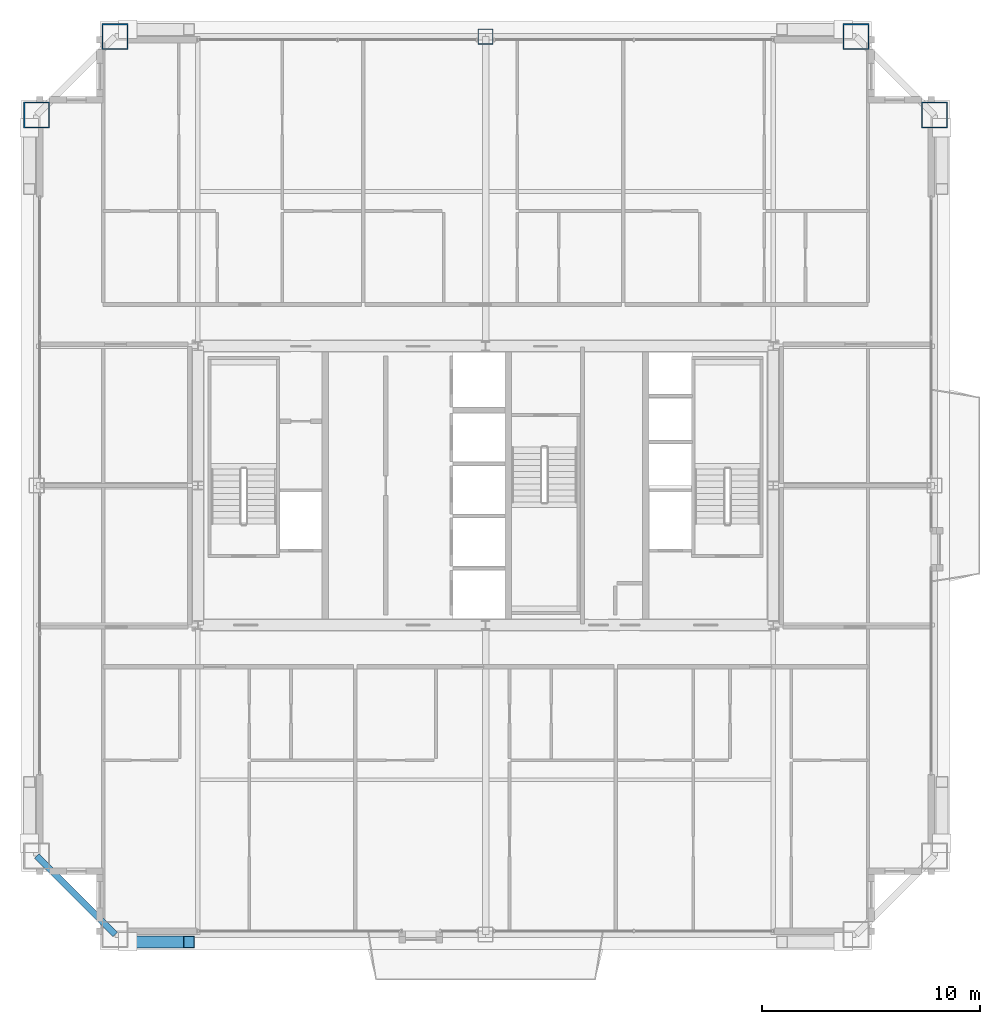
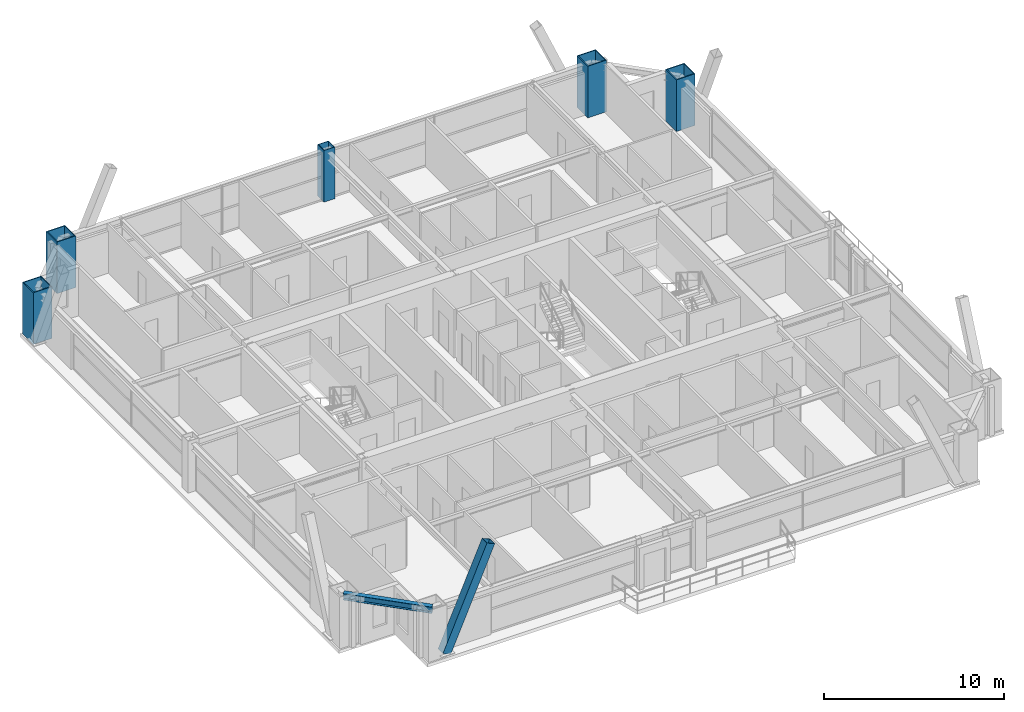
# One storey, part 2 of 35: 5 columns, 1 beam, 1 member.
"""IFC4 building model written with IfcOpenShell, lengths in metres."""

from ifc_helpers import new_model, si_unit, direction, frame, origin, origin_2d, place, context, subcontext, project, spatial, hollow_rectangle, i_section, extrude, source, transform, mapped, material, material_profile, profile_set, type_object, element, save


model = new_model("IFC4")

# Units and contexts
model_context = context("Model", 3, precision=1e-05, world=origin(), true_north=direction((0.0, 1.0)))
body_context = subcontext(model_context, "Body", "Model", "MODEL_VIEW")
ifc_project = project(units=[si_unit("LENGTHUNIT", "METRE"), si_unit("AREAUNIT", "SQUARE_METRE"), si_unit("VOLUMEUNIT", "CUBIC_METRE"), si_unit("PLANEANGLEUNIT", "RADIAN"), si_unit("MASSUNIT", "GRAM", prefix="KILO"), si_unit("THERMODYNAMICTEMPERATUREUNIT", "KELVIN"), si_unit("POWERUNIT", "WATT")], contexts=[model_context])

# Site, building, storey
site_placement = place(None, origin())
site = spatial("IfcSite", under=ifc_project, at=site_placement, CompositionType="ELEMENT")
building_placement = place(site_placement, origin())
building = spatial("IfcBuilding", under=site, at=building_placement, Name="Yuzanri Waterfront Tower", CompositionType="ELEMENT")
storey_placement = place(building_placement, frame((0.0, 0.0, 248.60009765625)))
storey = spatial("IfcBuildingStorey", under=building, at=storey_placement, Name="L66", CompositionType="ELEMENT", Elevation=248.60009765625)

# Columns
ifc_material_1 = material(Name="Steel Q390GJC", Category="steel")
ifc_material_profile_1 = material_profile(ifc_material_1, hollow_rectangle(XDim=1.199951171875, YDim=1.199951171875, WallThickness=0.054931640625, at=origin_2d()), Name="RHS 1200x1200x55")
ifc_profile_set_1 = profile_set([ifc_material_profile_1], Name="Steel Q390GJC")
column_type_1 = type_object("IfcColumnType", Name="Mega Column Q390GJC RHS 1200x1200x55", PredefinedType="COLUMN", material=ifc_profile_set_1)
shared_shape_1 = source(origin(), body_context, "Body", "SweptSolid", [
    extrude(hollow_rectangle(XDim=1.199951171875, YDim=1.199951171875, WallThickness=0.054931640625, at=origin_2d()), origin(), (0.0, 0.0, 1.0), 3.5),
])
for number, where, z_axis, x_axis, name in (
    (1, (20.0, 46.39990234375, 0.0), (0.0, 0.0, 1.0), (1.0, 0.0, 0.0), "L66 Perimeter Mega Column N1"),
    (2, (54.0, 46.39990234375, 0.0), (0.0, 0.0, 1.0), (1.0, 0.0, 0.0), "L66 Perimeter Mega Column N3"),
    (3, (16.39990234375, 42.800048828125, 0.0), (0.0, 0.0, 1.0), (1.0, 0.0, 0.0), "L66 Perimeter Mega Column W3"),
    (4, (57.60009765625, 42.800048828125, 0.0), (0.0, 0.0, 1.0), (1.0, 0.0, 0.0), "L66 Perimeter Mega Column E3"),
):
    element("IfcColumn", number, at=place(storey_placement, frame(where, z_axis=z_axis, x_axis=x_axis)), inside=storey, type_object=column_type_1, Name=name, PredefinedType="COLUMN", context=body_context, shape_type="MappedRepresentation", body=[
        mapped(shared_shape_1, transform((0.0, 0.0, 0.0), scale=1.0)),
    ])
ifc_material_2 = material(Name="Steel Q355B", Category="steel")
ifc_material_profile_2 = material_profile(ifc_material_2, hollow_rectangle(XDim=0.699951171875, YDim=0.699951171875, WallThickness=0.031982421875, at=origin_2d()), Name="RHS 700x700x32")
ifc_profile_set_2 = profile_set([ifc_material_profile_2], Name="Steel Q355B")
column_type_2 = type_object("IfcColumnType", Name="Frame Column Q355B RHS 700x700x32", PredefinedType="COLUMN", material=ifc_profile_set_2)
shared_shape_2 = source(origin(), body_context, "Body", "SweptSolid", [
    extrude(hollow_rectangle(XDim=0.699951171875, YDim=0.699951171875, WallThickness=0.031982421875, at=origin_2d()), origin(), (0.0, 0.0, 1.0), 3.5),
])
column_placement = place(storey_placement, frame((37.0, 46.39990234375, 0.0), z_axis=(0.0, 0.0, 1.0), x_axis=(1.0, 0.0, 0.0)))
element("IfcColumn", 5, at=column_placement, inside=storey, type_object=column_type_2, Name="L66 Perimeter Frame Column N2", PredefinedType="COLUMN", context=body_context, shape_type="MappedRepresentation", body=[
    mapped(shared_shape_2, transform((0.0, 0.0, 0.0), scale=1.0)),
])

# Beam
ifc_material_3 = material(Name="Steel Q355B", Category="steel")
ifc_material_profile_3 = material_profile(ifc_material_3, i_section(OverallWidth=0.300048828125, OverallDepth=0.43994140625, WebThickness=0.010986328125, FlangeThickness=0.01806640625, at=origin_2d()), Name="HM 440x300x11x18")
ifc_profile_set_3 = profile_set([ifc_material_profile_3], Name="Steel Q355B")
beam_type = type_object("IfcBeamType", Name="Perimeter Spandrel Q355B HM 440x300", PredefinedType="SPANDREL", material=ifc_profile_set_3)
shared_shape_3 = source(origin(), body_context, "Body", "SweptSolid", [
    extrude(i_section(OverallWidth=0.300048828125, OverallDepth=0.43994140625, WebThickness=0.010986328125, FlangeThickness=0.01806640625, at=origin_2d()), origin(), (0.0, 0.0, 1.0), 5.09130859375),
])
beam_placement = place(storey_placement, frame((16.39990234375, 8.800048828125, 3.059814453125), z_axis=(0.707106781187, -0.707106781187, 0.0), x_axis=(0.707106781187, 0.707106781187, 0.0)))
element("IfcBeam", 6, at=beam_placement, inside=storey, type_object=beam_type, Name="L66 Perimeter Spandrel W1-S1", PredefinedType="SPANDREL", context=body_context, shape_type="MappedRepresentation", body=[
    mapped(shared_shape_3, transform((0.0, 0.0, 0.0), scale=1.0)),
])

# Member
ifc_material_4 = material(Name="Steel Q390GJC", Category="steel")
ifc_material_profile_4 = material_profile(ifc_material_4, hollow_rectangle(XDim=0.550048828125, YDim=0.550048828125, WallThickness=0.02490234375, at=origin_2d()), Name="RHS 550x550x25")
ifc_profile_set_4 = profile_set([ifc_material_profile_4], Name="Steel Q390GJC")
member_type = type_object("IfcMemberType", Name="Mega Brace Mid Q390GJC RHS 550x550x25", PredefinedType="BRACE", material=ifc_profile_set_4)
shared_shape_4 = source(origin(), body_context, "Body", "SweptSolid", [
    extrude(hollow_rectangle(XDim=0.550048828125, YDim=0.550048828125, WallThickness=0.02490234375, at=origin_2d()), origin(), (0.0, 0.0, 1.0), 7.085205078125),
])
member_placement = place(storey_placement, frame((20.580078125, 4.860107421875, 0.179931640625), z_axis=(0.397982599681, 0.0, 0.917392963975), x_axis=(0.0, 1.0, 0.0)))
element("IfcMember", 7, at=member_placement, inside=storey, type_object=member_type, Name="L66-L67 Perimeter Mega-Brace S-L", PredefinedType="BRACE", context=body_context, shape_type="MappedRepresentation", body=[
    mapped(shared_shape_4, transform((0.0, 0.0, 0.0), scale=1.0)),
])

save(model, "model.ifc")
